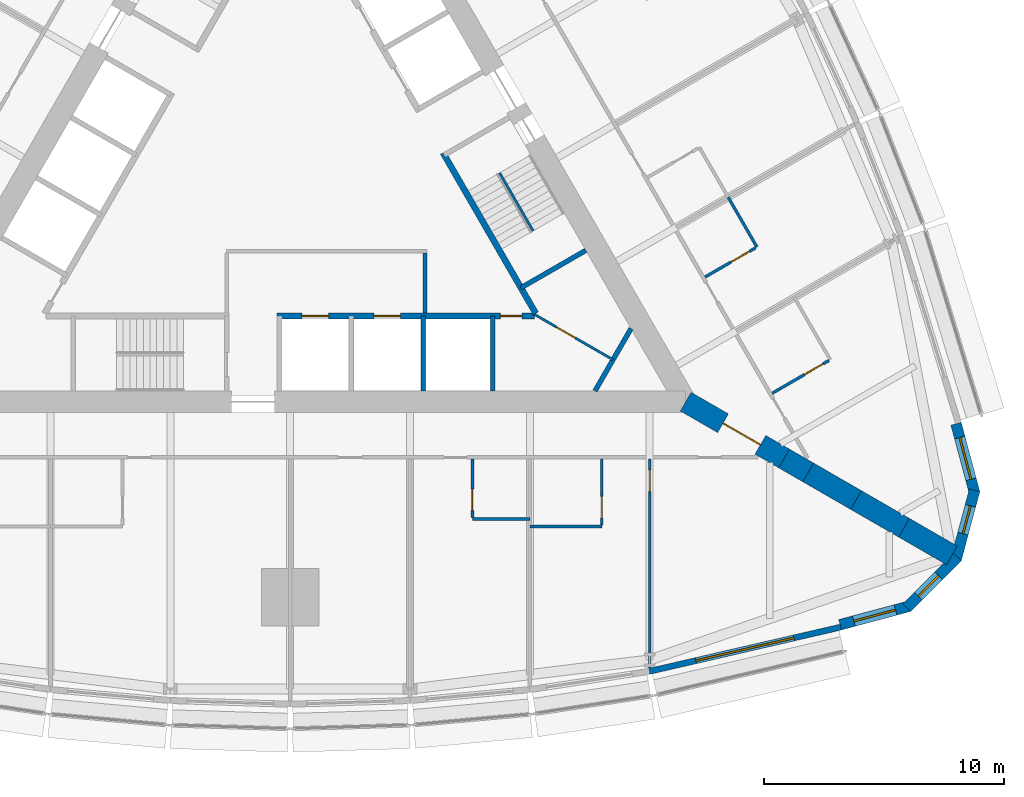
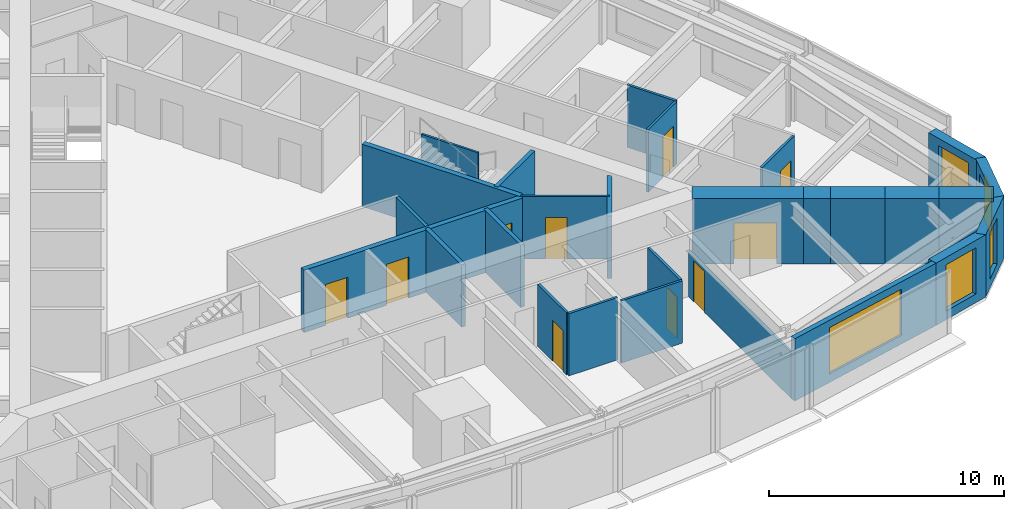
# One storey, part 10 of 14: 27 walls, 10 doors, 5 windows, 15 openings.
"""IFC4 building model written with IfcOpenShell, lengths in metres."""

from ifc_helpers import new_model, si_unit, direction, frame, frame_2d, origin, place, context, subcontext, project, spatial, polyline, rectangle, outline, extrude, material, layer, layer_set, type_object, element, fill, save


model = new_model("IFC4")

# Units and contexts
model_context = context("Model", 3, precision=1e-05, world=origin(), true_north=direction((0.0, 1.0)))
body_context = subcontext(model_context, "Body", "Model", "MODEL_VIEW")
ifc_project = project(units=[si_unit("LENGTHUNIT", "METRE"), si_unit("AREAUNIT", "SQUARE_METRE"), si_unit("VOLUMEUNIT", "CUBIC_METRE"), si_unit("PLANEANGLEUNIT", "RADIAN"), si_unit("MASSUNIT", "GRAM", prefix="KILO")], contexts=[model_context])

# Site, building, storey
site_placement = place(None, origin())
site = spatial("IfcSite", under=ifc_project, at=site_placement, CompositionType="ELEMENT")
building_placement = place(site_placement, origin())
building = spatial("IfcBuilding", under=site, at=building_placement, Name="Trikona Tower", CompositionType="ELEMENT")
storey_placement = place(building_placement, frame((0.0, 0.0, 45.5)))
storey = spatial("IfcBuildingStorey", under=building, at=storey_placement, Name="L10", CompositionType="ELEMENT", Elevation=45.5)

# Wall
ifc_material_1 = material(Name="Metal stud and cement board", Category="gypsum")
ifc_layer_1 = layer(ifc_material_1, 0.1201171875)
ifc_layer_set_1 = layer_set([ifc_layer_1], Name="Bathroom wall 120")
wall_type_1 = type_object("IfcWallType", Name="Bathroom wall 120", PredefinedType="PLUMBINGWALL", material=ifc_layer_set_1)
wall_1_placement = place(storey_placement, frame((7.60009765625, -14.42626953125, 0.0), z_axis=(0.0, 0.0, 1.0), x_axis=(1.0, 0.0, 0.0)))
element("IfcWall", 1, at=wall_1_placement, inside=storey, type_object=wall_type_1, Name="Bathroom wall 1004", PredefinedType="PLUMBINGWALL", context=body_context, shape_type="SweptSolid", body=[
    extrude(rectangle(XDim=2.39990234375, YDim=0.1201171875, at=frame_2d((1.199951171875, 0.0))), origin(), (0.0, 0.0, 1.0), 3.235107421875),
])

# Wall, opening, door
wall_2_placement = place(storey_placement, frame((7.60009765625, -11.92626953125, 0.0), z_axis=(0.0, 0.0, 1.0), x_axis=(0.0, -1.0, 0.0)))
wall_2 = element("IfcWall", 2, at=wall_2_placement, inside=storey, type_object=wall_type_1, Name="Bathroom wall 1004", PredefinedType="PLUMBINGWALL", context=body_context, shape_type="SweptSolid", body=[
    extrude(rectangle(XDim=2.43994140625, YDim=0.1201171875, at=frame_2d((1.219970703125, 0.0))), origin(), (0.0, 0.0, 1.0), 3.235107421875),
])
opening_1_placement = place(wall_2_placement, frame((1.25, 0.0, 0.0)))
opening_1 = element("IfcOpeningElement", 3, at=opening_1_placement, cuts=wall_2, Name="Opening D2", PredefinedType="OPENING", context=body_context, shape_type="SweptSolid", body=[
    extrude(rectangle(XDim=0.89990234375, YDim=2.1298828125, at=frame_2d((0.449951171875, 1.06494140625))), frame((0.0, 0.070068359375, 0.0), z_axis=(0.0, -1.0, 0.0), x_axis=(1.0, 0.0, 0.0)), (0.0, 0.0, 1.0), 0.14013671875),
])
ifc_material_2 = material(Name="Steel door frame with solid-core timber leaf", Category="steel")
door_type_1 = type_object("IfcDoorType", Name="Bathroom door 900x2130", OperationType="SLIDING_TO_LEFT", PredefinedType="DOOR", material=ifc_material_2)
door_1_placement = place(opening_1_placement, origin())
door_1 = element("IfcDoor", 4, at=door_1_placement, inside=storey, type_object=door_type_1, Name="Bathroom door 1004", OperationType="SLIDING_TO_LEFT", OverallHeight=2.1298828125, OverallWidth=0.89990234375, PredefinedType="DOOR", context=body_context, shape_type="SweptSolid", body=[
    extrude(rectangle(XDim=0.89990234375, YDim=2.1298828125, at=frame_2d((0.449951171875, 1.06494140625))), frame((0.0, 0.02490234375, 0.0), z_axis=(0.0, -1.0, 0.0), x_axis=(1.0, 0.0, 0.0)), (0.0, 0.0, 1.0), 0.050048828125),
])
fill(opening_1, door_1)

# Wall
wall_3_placement = place(storey_placement, frame((10.0, -14.726318359375, 0.0), z_axis=(0.0, 0.0, 1.0), x_axis=(1.0, 0.0, 0.0)))
element("IfcWall", 5, at=wall_3_placement, inside=storey, type_object=wall_type_1, Name="Bathroom wall 1005.1", PredefinedType="PLUMBINGWALL", context=body_context, shape_type="SweptSolid", body=[
    extrude(rectangle(XDim=3.0, YDim=0.1201171875, at=frame_2d((1.5, 0.0))), origin(), (0.0, 0.0, 1.0), 3.235107421875),
])

# Wall, opening, door
wall_4_placement = place(storey_placement, frame((13.0, -11.92626953125, 0.0), z_axis=(0.0, 0.0, 1.0), x_axis=(0.0, -1.0, 0.0)))
wall_4 = element("IfcWall", 6, at=wall_4_placement, inside=storey, type_object=wall_type_1, Name="Bathroom wall 1005.1", PredefinedType="PLUMBINGWALL", context=body_context, shape_type="SweptSolid", body=[
    extrude(rectangle(XDim=2.739990234375, YDim=0.1201171875, at=frame_2d((1.3701171875, 0.0))), origin(), (0.0, 0.0, 1.0), 3.235107421875),
])
opening_2_placement = place(wall_4_placement, frame((1.550048828125, 0.0, 0.0)))
opening_2 = element("IfcOpeningElement", 7, at=opening_2_placement, cuts=wall_4, Name="Opening D2", PredefinedType="OPENING", context=body_context, shape_type="SweptSolid", body=[
    extrude(rectangle(XDim=0.89990234375, YDim=2.1298828125, at=frame_2d((0.449951171875, 1.06494140625))), frame((0.0, 0.070068359375, 0.0), z_axis=(0.0, -1.0, 0.0), x_axis=(1.0, 0.0, 0.0)), (0.0, 0.0, 1.0), 0.14013671875),
])
door_2_placement = place(opening_2_placement, origin())
door_2 = element("IfcDoor", 8, at=door_2_placement, inside=storey, type_object=door_type_1, Name="Bathroom door 1005.1", OperationType="SLIDING_TO_LEFT", OverallHeight=2.1298828125, OverallWidth=0.89990234375, PredefinedType="DOOR", context=body_context, shape_type="SweptSolid", body=[
    extrude(rectangle(XDim=0.89990234375, YDim=2.1298828125, at=frame_2d((0.449951171875, 1.06494140625))), frame((0.0, 0.02490234375, 0.0), z_axis=(0.0, -1.0, 0.0), x_axis=(1.0, 0.0, 0.0)), (0.0, 0.0, 1.0), 0.050048828125),
])
fill(opening_2, door_2)

wall_5_placement = place(storey_placement, frame((20.10791015625, -9.17529296875, 0.0), z_axis=(0.0, 0.0, 1.0), x_axis=(0.866035715982, 0.499982138324, 0.0)))
wall_5 = element("IfcWall", 9, at=wall_5_placement, inside=storey, type_object=wall_type_1, Name="Bathroom wall 1006", PredefinedType="PLUMBINGWALL", context=body_context, shape_type="SweptSolid", body=[
    extrude(rectangle(XDim=2.73974609375, YDim=0.1201171875, at=frame_2d((1.369873046875, 0.0))), origin(), (0.0, 0.0, 1.0), 3.235107421875),
])
opening_3_placement = place(wall_5_placement, frame((1.550048828125, 0.0, 0.0)))
opening_3 = element("IfcOpeningElement", 10, at=opening_3_placement, cuts=wall_5, Name="Opening D2", PredefinedType="OPENING", context=body_context, shape_type="SweptSolid", body=[
    extrude(rectangle(XDim=0.89990234375, YDim=2.1298828125, at=frame_2d((0.449951171875, 1.06494140625))), frame((0.0, 0.070068359375, 0.0), z_axis=(0.0, -1.0, 0.0), x_axis=(1.0, 0.0, 0.0)), (0.0, 0.0, 1.0), 0.14013671875),
])
door_3_placement = place(opening_3_placement, origin())
door_3 = element("IfcDoor", 11, at=door_3_placement, inside=storey, type_object=door_type_1, Name="Bathroom door 1006", OperationType="SLIDING_TO_LEFT", OverallHeight=2.1298828125, OverallWidth=0.89990234375, PredefinedType="DOOR", context=body_context, shape_type="SweptSolid", body=[
    extrude(rectangle(XDim=0.89990234375, YDim=2.1298828125, at=frame_2d((0.449951171875, 1.06494140625))), frame((0.0, 0.02490234375, 0.0), z_axis=(0.0, -1.0, 0.0), x_axis=(1.0, 0.0, 0.0)), (0.0, 0.0, 1.0), 0.050048828125),
])
fill(opening_3, door_3)

# Wall
wall_6_placement = place(storey_placement, frame((19.472900390625, -3.07568359375, 0.0), z_axis=(0.0, 0.0, 1.0), x_axis=(-0.499957262057, 0.866050077142, 0.0)))
element("IfcWall", 12, at=wall_6_placement, inside=storey, type_object=wall_type_1, Name="Bathroom wall 1007", PredefinedType="PLUMBINGWALL", context=body_context, shape_type="SweptSolid", body=[
    extrude(rectangle(XDim=2.400146484375, YDim=0.1201171875, at=frame_2d((1.2001953125, 0.0))), origin(), (0.0, 0.0, 1.0), 3.235107421875),
])

# Wall, opening, door
wall_7_placement = place(storey_placement, frame((17.307861328125, -4.32568359375, 0.0), z_axis=(0.0, 0.0, 1.0), x_axis=(0.866023955769, 0.500002508028, 0.0)))
wall_7 = element("IfcWall", 13, at=wall_7_placement, inside=storey, type_object=wall_type_1, Name="Bathroom wall 1007", PredefinedType="PLUMBINGWALL", context=body_context, shape_type="SweptSolid", body=[
    extrude(rectangle(XDim=2.43994140625, YDim=0.1201171875, at=frame_2d((1.219970703125, 0.0))), origin(), (0.0, 0.0, 1.0), 3.235107421875),
])
opening_4_placement = place(wall_7_placement, frame((1.25, 0.0, 0.0)))
opening_4 = element("IfcOpeningElement", 14, at=opening_4_placement, cuts=wall_7, Name="Opening D2", PredefinedType="OPENING", context=body_context, shape_type="SweptSolid", body=[
    extrude(rectangle(XDim=0.89990234375, YDim=2.1298828125, at=frame_2d((0.449951171875, 1.06494140625))), frame((0.0, 0.070068359375, 0.0), z_axis=(0.0, -1.0, 0.0), x_axis=(1.0, 0.0, 0.0)), (0.0, 0.0, 1.0), 0.14013671875),
])
door_4_placement = place(opening_4_placement, origin())
door_4 = element("IfcDoor", 15, at=door_4_placement, inside=storey, type_object=door_type_1, Name="Bathroom door 1007", OperationType="SLIDING_TO_LEFT", OverallHeight=2.1298828125, OverallWidth=0.89990234375, PredefinedType="DOOR", context=body_context, shape_type="SweptSolid", body=[
    extrude(rectangle(XDim=0.89990234375, YDim=2.1298828125, at=frame_2d((0.449951171875, 1.06494140625))), frame((0.0, 0.02490234375, 0.0), z_axis=(0.0, -1.0, 0.0), x_axis=(1.0, 0.0, 0.0)), (0.0, 0.0, 1.0), 0.050048828125),
])
fill(opening_4, door_4)

# Wall, opening, window
ifc_material_3 = material(Name="Brick-faced precast concrete", Category="masonry")
ifc_layer_2 = layer(ifc_material_3, 0.449951171875)
ifc_layer_set_2 = layer_set([ifc_layer_2], Name="Brick-faced corner wall 450")
wall_type_2 = type_object("IfcWallType", Name="Brick-faced corner wall 450", PredefinedType="SOLIDWALL", material=ifc_layer_set_2)
wall_8_placement = place(storey_placement, frame((22.94189453125, -18.835205078125, 0.0), z_axis=(0.0, 0.0, 1.0), x_axis=(0.965930548995, 0.258801419081, 0.0)))
wall_8 = element("IfcWall", 16, at=wall_8_placement, inside=storey, type_object=wall_type_2, Name="External wall L10-08", PredefinedType="SOLIDWALL", context=body_context, shape_type="SweptSolid", body=[
    extrude(rectangle(XDim=2.988525390625, YDim=0.449951171875, at=frame_2d((1.494140625, 0.0))), origin(), (0.0, 0.0, 1.0), 3.235107421875),
])
opening_5_placement = place(wall_8_placement, frame((0.59423828125, 0.0, 0.449951171875)))
opening_5 = element("IfcOpeningElement", 17, at=opening_5_placement, cuts=wall_8, Name="Opening W1824", PredefinedType="OPENING", context=body_context, shape_type="SweptSolid", body=[
    extrude(rectangle(XDim=1.800048828125, YDim=2.39990234375, at=frame_2d((0.89990234375, 1.199951171875))), frame((0.0, 0.23486328125, 0.0), z_axis=(0.0, -1.0, 0.0), x_axis=(1.0, 0.0, 0.0)), (0.0, 0.0, 1.0), 0.469970703125),
])
ifc_material_4 = material(Name="Aluminium-framed double glazing", Category="aluminium")
window_type_1 = type_object("IfcWindowType", Name="Window 1800x2400", PartitioningType="SINGLE_PANEL", PredefinedType="WINDOW", material=ifc_material_4)
window_1_placement = place(opening_5_placement, origin())
window_1 = element("IfcWindow", 18, at=window_1_placement, inside=storey, type_object=window_type_1, Name="Window 1005", OverallHeight=2.39990234375, OverallWidth=1.800048828125, PartitioningType="SINGLE_PANEL", PredefinedType="WINDOW", context=body_context, shape_type="SweptSolid", body=[
    extrude(rectangle(XDim=1.800048828125, YDim=2.39990234375, at=frame_2d((0.89990234375, 1.199951171875))), frame((0.0, 0.030029296875, 0.0), z_axis=(0.0, -1.0, 0.0), x_axis=(1.0, 0.0, 0.0)), (0.0, 0.0, 1.0), 0.06005859375),
])
fill(opening_5, window_1)

wall_9_placement = place(storey_placement, frame((25.727783203125, -18.1201171875, 0.0), z_axis=(0.0, 0.0, 1.0), x_axis=(0.707025086683, 0.707188466253, 0.0)))
wall_9 = element("IfcWall", 19, at=wall_9_placement, inside=storey, type_object=wall_type_2, Name="External wall L10-09", PredefinedType="SOLIDWALL", context=body_context, shape_type="SweptSolid", body=[
    extrude(outline(polyline([(2.988525390625, 0.22509765625), (2.929931640625, 0.22509765625), (2.4375, 0.093017578125), (2.402099609375, 0.22509765625), (0.0, 0.22509765625), (0.0, -0.22509765625), (2.988525390625, -0.22509765625), (2.988525390625, 0.22509765625)])), origin(), (0.0, 0.0, 1.0), 3.235107421875),
])
opening_6_placement = place(wall_9_placement, frame((0.676025390625, 0.0, 0.449951171875)))
opening_6 = element("IfcOpeningElement", 20, at=opening_6_placement, cuts=wall_9, Name="Opening W1224", PredefinedType="OPENING", context=body_context, shape_type="SweptSolid", body=[
    extrude(rectangle(XDim=1.199951171875, YDim=2.39990234375, at=frame_2d((0.60009765625, 1.199951171875))), frame((0.0, 0.23486328125, 0.0), z_axis=(0.0, -1.0, 0.0), x_axis=(1.0, 0.0, 0.0)), (0.0, 0.0, 1.0), 0.469970703125),
])
ifc_material_5 = material(Name="Aluminium-framed double glazing", Category="aluminium")
window_type_2 = type_object("IfcWindowType", Name="Window 1200x2400", PartitioningType="SINGLE_PANEL", PredefinedType="WINDOW", material=ifc_material_5)
window_2_placement = place(opening_6_placement, origin())
window_2 = element("IfcWindow", 21, at=window_2_placement, inside=storey, type_object=window_type_2, Name="Window 1005", OverallHeight=2.39990234375, OverallWidth=1.199951171875, PartitioningType="SINGLE_PANEL", PredefinedType="WINDOW", context=body_context, shape_type="SweptSolid", body=[
    extrude(rectangle(XDim=1.199951171875, YDim=2.39990234375, at=frame_2d((0.60009765625, 1.199951171875))), frame((0.0, 0.030029296875, 0.0), z_axis=(0.0, -1.0, 0.0), x_axis=(1.0, 0.0, 0.0)), (0.0, 0.0, 1.0), 0.06005859375),
])
fill(opening_6, window_2)

wall_10_placement = place(storey_placement, frame((27.78271484375, -16.107666015625, 0.0), z_axis=(0.0, 0.0, 1.0), x_axis=(0.258801419081, 0.965930548995, 0.0)))
wall_10 = element("IfcWall", 22, at=wall_10_placement, inside=storey, type_object=wall_type_2, Name="External wall L10-10", PredefinedType="SOLIDWALL", context=body_context, shape_type="SweptSolid", body=[
    extrude(outline(polyline([(2.988525390625, 0.22509765625), (0.58642578125, 0.22509765625), (0.55126953125, 0.09326171875), (0.0595703125, 0.22509765625), (0.0, 0.22509765625), (0.0, -0.22509765625), (2.988525390625, -0.22509765625), (2.988525390625, 0.22509765625)])), origin(), (0.0, 0.0, 1.0), 3.235107421875),
])
opening_7_placement = place(wall_10_placement, frame((1.112548828125, 0.0, 0.449951171875)))
opening_7 = element("IfcOpeningElement", 23, at=opening_7_placement, cuts=wall_10, Name="Opening W1224", PredefinedType="OPENING", context=body_context, shape_type="SweptSolid", body=[
    extrude(rectangle(XDim=1.199951171875, YDim=2.39990234375, at=frame_2d((0.60009765625, 1.199951171875))), frame((0.0, 0.23486328125, 0.0), z_axis=(0.0, -1.0, 0.0), x_axis=(1.0, 0.0, 0.0)), (0.0, 0.0, 1.0), 0.469970703125),
])
window_3_placement = place(opening_7_placement, origin())
window_3 = element("IfcWindow", 24, at=window_3_placement, inside=storey, type_object=window_type_2, Name="Window 1006", OverallHeight=2.39990234375, OverallWidth=1.199951171875, PartitioningType="SINGLE_PANEL", PredefinedType="WINDOW", context=body_context, shape_type="SweptSolid", body=[
    extrude(rectangle(XDim=1.199951171875, YDim=2.39990234375, at=frame_2d((0.60009765625, 1.199951171875))), frame((0.0, 0.030029296875, 0.0), z_axis=(0.0, -1.0, 0.0), x_axis=(1.0, 0.0, 0.0)), (0.0, 0.0, 1.0), 0.06005859375),
])
fill(opening_7, window_3)

wall_11_placement = place(storey_placement, frame((28.55615234375, -13.33740234375, 0.0), z_axis=(0.0, 0.0, 1.0), x_axis=(-0.258780998834, 0.965936019953, 0.0)))
wall_11 = element("IfcWall", 25, at=wall_11_placement, inside=storey, type_object=wall_type_2, Name="External wall L10-11", PredefinedType="SOLIDWALL", context=body_context, shape_type="SweptSolid", body=[
    extrude(rectangle(XDim=2.98876953125, YDim=0.449951171875, at=frame_2d((1.494384765625, 0.0))), origin(), (0.0, 0.0, 1.0), 3.235107421875),
])
opening_8_placement = place(wall_11_placement, frame((0.59423828125, 0.0, 0.449951171875)))
opening_8 = element("IfcOpeningElement", 26, at=opening_8_placement, cuts=wall_11, Name="Opening W1824", PredefinedType="OPENING", context=body_context, shape_type="SweptSolid", body=[
    extrude(rectangle(XDim=1.800048828125, YDim=2.39990234375, at=frame_2d((0.89990234375, 1.199951171875))), frame((0.0, 0.23486328125, 0.0), z_axis=(0.0, -1.0, 0.0), x_axis=(1.0, 0.0, 0.0)), (0.0, 0.0, 1.0), 0.469970703125),
])
window_4_placement = place(opening_8_placement, origin())
window_4 = element("IfcWindow", 27, at=window_4_placement, inside=storey, type_object=window_type_1, Name="Window 1006", OverallHeight=2.39990234375, OverallWidth=1.800048828125, PartitioningType="SINGLE_PANEL", PredefinedType="WINDOW", context=body_context, shape_type="SweptSolid", body=[
    extrude(rectangle(XDim=1.800048828125, YDim=2.39990234375, at=frame_2d((0.89990234375, 1.199951171875))), frame((0.0, 0.030029296875, 0.0), z_axis=(0.0, -1.0, 0.0), x_axis=(1.0, 0.0, 0.0)), (0.0, 0.0, 1.0), 0.06005859375),
])
fill(opening_8, window_4)

# Wall, opening, door
ifc_material_6 = material(Name="Concrete f'c 10000 psi", Category="concrete")
ifc_layer_3 = layer(ifc_material_6, 0.89990234375)
ifc_layer_set_3 = layer_set([ifc_layer_3], Name="Buttress wall 900")
wall_type_3 = type_object("IfcWallType", Name="Buttress wall 900", PredefinedType="SHEAR", material=ifc_layer_set_3)
wall_12_placement = place(storey_placement, frame((16.5, -9.5263671875, 0.0), z_axis=(0.0, 0.0, 1.0), x_axis=(0.866031398331, -0.499989616998, 0.0)))
wall_12 = element("IfcWall", 28, at=wall_12_placement, inside=storey, type_object=wall_type_3, Name="Buttress wall 1", PredefinedType="SHEAR", context=body_context, shape_type="SweptSolid", body=[
    extrude(rectangle(XDim=4.74609375, YDim=0.89990234375, at=frame_2d((2.373046875, 0.0))), origin(), (0.0, 0.0, 1.0), 3.39990234375),
])
opening_9_placement = place(wall_12_placement, frame((1.800048828125, 0.0, 0.0)))
opening_9 = element("IfcOpeningElement", 29, at=opening_9_placement, cuts=wall_12, Name="Opening D10", PredefinedType="OPENING", context=body_context, shape_type="SweptSolid", body=[
    extrude(rectangle(XDim=1.800048828125, YDim=2.1298828125, at=frame_2d((0.89990234375, 1.06494140625))), frame((0.0, 0.4599609375, 0.0), z_axis=(0.0, -1.0, 0.0), x_axis=(1.0, 0.0, 0.0)), (0.0, 0.0, 1.0), 0.919921875),
])
ifc_material_7 = material(Name="Hollow metal door and frame", Category="steel")
door_type_2 = type_object("IfcDoorType", Name="Cross-corridor door pair 1800x2130", OperationType="DOUBLE_DOOR_DOUBLE_SWING", PredefinedType="DOOR", material=ifc_material_7)
door_5_placement = place(opening_9_placement, origin())
door_5 = element("IfcDoor", 30, at=door_5_placement, inside=storey, type_object=door_type_2, Name="Cross-corridor door 1", OperationType="DOUBLE_DOOR_DOUBLE_SWING", OverallHeight=2.1298828125, OverallWidth=1.800048828125, PredefinedType="DOOR", context=body_context, shape_type="SweptSolid", body=[
    extrude(rectangle(XDim=1.800048828125, YDim=2.1298828125, at=frame_2d((0.89990234375, 1.06494140625))), frame((0.0, 0.02490234375, 0.0), z_axis=(0.0, -1.0, 0.0), x_axis=(1.0, 0.0, 0.0)), (0.0, 0.0, 1.0), 0.050048828125),
])
fill(opening_9, door_5)

# Walls
wall_13_placement = place(storey_placement, frame((20.6103515625, -11.8994140625, 0.0), z_axis=(0.0, 0.0, 1.0), x_axis=(0.866009537788, -0.500027479704, 0.0)))
element("IfcWall", 31, at=wall_13_placement, inside=storey, type_object=wall_type_3, Name="Buttress wall 1 part 2", PredefinedType="SHEAR", context=body_context, shape_type="SweptSolid", body=[
    extrude(rectangle(XDim=1.15478515625, YDim=0.89990234375, at=frame_2d((0.577392578125, 0.0))), origin(), (0.0, 0.0, 1.0), 3.39990234375),
])
for number, where, z_axis, x_axis, name in (
    (32, (21.6103515625, -12.476806640625, 0.0), (0.0, 0.0, 1.0), (0.866055313784, -0.499948190782, 0.0), "Buttress wall 1 part 3"),
    (33, (23.6103515625, -13.63134765625, 0.0), (0.0, 0.0, 1.0), (0.866009537788, -0.500027479704, 0.0), "Buttress wall 1 part 4"),
    (34, (25.6103515625, -14.7861328125, 0.0), (0.0, 0.0, 1.0), (0.866009537788, -0.500027479704, 0.0), "Buttress wall 1 part 5"),
):
    element("IfcWall", number, at=place(storey_placement, frame(where, z_axis=z_axis, x_axis=x_axis)), inside=storey, type_object=wall_type_3, Name=name, PredefinedType="SHEAR", context=body_context, shape_type="SweptSolid", body=[
        extrude(rectangle(XDim=2.309326171875, YDim=0.89990234375, at=frame_2d((1.15478515625, 0.0))), origin(), (0.0, 0.0, 1.0), 3.39990234375),
    ])

# Wall, openings, doors
ifc_material_8 = material(Name="Concrete f'c 8000 psi", Category="concrete")
ifc_layer_4 = layer(ifc_material_8, 0.25)
ifc_layer_set_4 = layer_set([ifc_layer_4], Name="Hub wall 250")
wall_type_4 = type_object("IfcWallType", Name="Hub wall 250", PredefinedType="SOLIDWALL", material=ifc_layer_set_4)
wall_14_placement = place(storey_placement, frame((-0.550048828125, -5.951416015625, 0.0), z_axis=(0.0, 0.0, 1.0), x_axis=(1.0, 0.0, 0.0)))
wall_14 = element("IfcWall", 35, at=wall_14_placement, inside=storey, type_object=wall_type_4, Name="Lift lobby wall A2", PredefinedType="SOLIDWALL", context=body_context, shape_type="SweptSolid", body=[
    extrude(rectangle(XDim=10.73291015625, YDim=0.25, at=frame_2d((5.366455078125, 0.0))), origin(), (0.0, 0.0, 1.0), 3.235107421875),
])
opening_10_placement = place(wall_14_placement, frame((9.31396484375, 0.0, 0.0)))
opening_10 = element("IfcOpeningElement", 36, at=opening_10_placement, cuts=wall_14, Name="Opening D14", PredefinedType="OPENING", context=body_context, shape_type="SweptSolid", body=[
    extrude(rectangle(XDim=0.89990234375, YDim=2.1298828125, at=frame_2d((0.449951171875, 1.06494140625))), frame((0.0, 0.135009765625, 0.0), z_axis=(0.0, -1.0, 0.0), x_axis=(1.0, 0.0, 0.0)), (0.0, 0.0, 1.0), 0.27001953125),
])
opening_11_placement = place(wall_14_placement, frame((1.050048828125, 0.0, 0.0)))
opening_11 = element("IfcOpeningElement", 37, at=opening_11_placement, cuts=wall_14, Name="Opening LD", PredefinedType="OPENING", context=body_context, shape_type="SweptSolid", body=[
    extrude(rectangle(XDim=1.10009765625, YDim=2.1298828125, at=frame_2d((0.550048828125, 1.06494140625))), frame((0.0, 0.135009765625, 0.0), z_axis=(0.0, -1.0, 0.0), x_axis=(1.0, 0.0, 0.0)), (0.0, 0.0, 1.0), 0.27001953125),
])
opening_12_placement = place(wall_14_placement, frame((4.050048828125, 0.0, 0.0)))
opening_12 = element("IfcOpeningElement", 38, at=opening_12_placement, cuts=wall_14, Name="Opening LD", PredefinedType="OPENING", context=body_context, shape_type="SweptSolid", body=[
    extrude(rectangle(XDim=1.10009765625, YDim=2.1298828125, at=frame_2d((0.550048828125, 1.06494140625))), frame((0.0, 0.135009765625, 0.0), z_axis=(0.0, -1.0, 0.0), x_axis=(1.0, 0.0, 0.0)), (0.0, 0.0, 1.0), 0.27001953125),
])
ifc_material_9 = material(Name="Stainless steel lift landing door", Category="steel")
door_type_3 = type_object("IfcDoorType", Name="Lift landing door 1100x2130", OperationType="DOUBLE_DOOR_SLIDING", PredefinedType="USERDEFINED", material=ifc_material_9)
door_6_placement = place(opening_11_placement, origin())
door_6 = element("IfcDoor", 39, at=door_6_placement, inside=storey, type_object=door_type_3, Name="Lift landing door FF1", ObjectType="LIFT LANDING DOOR", OperationType="DOUBLE_DOOR_SLIDING", OverallHeight=2.1298828125, OverallWidth=1.10009765625, PredefinedType="USERDEFINED", context=body_context, shape_type="SweptSolid", body=[
    extrude(rectangle(XDim=1.10009765625, YDim=2.1298828125, at=frame_2d((0.550048828125, 1.06494140625))), frame((0.0, 0.02490234375, 0.0), z_axis=(0.0, -1.0, 0.0), x_axis=(1.0, 0.0, 0.0)), (0.0, 0.0, 1.0), 0.050048828125),
])
fill(opening_11, door_6)
door_7_placement = place(opening_12_placement, origin())
door_7 = element("IfcDoor", 40, at=door_7_placement, inside=storey, type_object=door_type_3, Name="Lift landing door FF2", ObjectType="LIFT LANDING DOOR", OperationType="DOUBLE_DOOR_SLIDING", OverallHeight=2.1298828125, OverallWidth=1.10009765625, PredefinedType="USERDEFINED", context=body_context, shape_type="SweptSolid", body=[
    extrude(rectangle(XDim=1.10009765625, YDim=2.1298828125, at=frame_2d((0.550048828125, 1.06494140625))), frame((0.0, 0.02490234375, 0.0), z_axis=(0.0, -1.0, 0.0), x_axis=(1.0, 0.0, 0.0)), (0.0, 0.0, 1.0), 0.050048828125),
])
fill(opening_12, door_7)
ifc_material_10 = material(Name="Hollow metal door and frame", Category="steel")
door_type_4 = type_object("IfcDoorType", Name="Service room door 900x2130", OperationType="SINGLE_SWING_LEFT", PredefinedType="DOOR", material=ifc_material_10)
door_8_placement = place(opening_10_placement, origin())
door_8 = element("IfcDoor", 41, at=door_8_placement, inside=storey, type_object=door_type_4, Name="Door Housekeeping store HKS", OperationType="SINGLE_SWING_RIGHT", OverallHeight=2.1298828125, OverallWidth=0.89990234375, PredefinedType="DOOR", context=body_context, shape_type="SweptSolid", body=[
    extrude(rectangle(XDim=0.89990234375, YDim=2.1298828125, at=frame_2d((0.449951171875, 1.06494140625))), frame((0.0, 0.02490234375, 0.0), z_axis=(0.0, -1.0, 0.0), x_axis=(1.0, 0.0, 0.0)), (0.0, 0.0, 1.0), 0.050048828125),
])
fill(opening_10, door_8)

# Wall
wall_15_placement = place(storey_placement, frame((10.245361328125, -5.843017578125, 0.0), z_axis=(0.0, 0.0, 1.0), x_axis=(-0.499993009313, 0.866029439822, 0.0)))
element("IfcWall", 42, at=wall_15_placement, inside=storey, type_object=wall_type_4, Name="Lift lobby wall B1", PredefinedType="SOLIDWALL", context=body_context, shape_type="SweptSolid", body=[
    extrude(rectangle(XDim=7.73291015625, YDim=0.25, at=frame_2d((3.866455078125, 0.0))), origin(), (0.0, 0.0, 1.0), 3.235107421875),
])

# Wall, opening, window
ifc_material_11 = material(Name="Insulated precast concrete spandrel panel", Category="concrete")
ifc_layer_5 = layer(ifc_material_11, 0.25)
ifc_layer_set_5 = layer_set([ifc_layer_5], Name="Inner skin wall 250")
wall_type_5 = type_object("IfcWallType", Name="Inner skin wall 250", PredefinedType="STANDARD", material=ifc_layer_set_5)
wall_16_placement = place(storey_placement, frame((14.9716796875, -20.78125, 0.0), z_axis=(0.0, 0.0, 1.0), x_axis=(0.974279327392, 0.225343720163, 0.0)))
wall_16 = element("IfcWall", 43, at=wall_16_placement, inside=storey, type_object=wall_type_5, Name="External wall L10-07", PredefinedType="STANDARD", context=body_context, shape_type="SweptSolid", body=[
    extrude(rectangle(XDim=8.211181640625, YDim=0.25, at=frame_2d((4.10546875, 0.0))), origin(), (0.0, 0.0, 1.0), 3.235107421875),
])
opening_13_placement = place(wall_16_placement, frame((2.005615234375, 0.0, 0.449951171875)))
opening_13 = element("IfcOpeningElement", 44, at=opening_13_placement, cuts=wall_16, Name="Opening W4224", PredefinedType="OPENING", context=body_context, shape_type="SweptSolid", body=[
    extrude(rectangle(XDim=4.199951171875, YDim=2.39990234375, at=frame_2d((2.10009765625, 1.199951171875))), frame((0.0, 0.135009765625, 0.0), z_axis=(0.0, -1.0, 0.0), x_axis=(1.0, 0.0, 0.0)), (0.0, 0.0, 1.0), 0.27001953125),
])
ifc_material_12 = material(Name="Aluminium-framed double glazing", Category="aluminium")
window_type_3 = type_object("IfcWindowType", Name="Window 4200x2400", PartitioningType="SINGLE_PANEL", PredefinedType="WINDOW", material=ifc_material_12)
window_5_placement = place(opening_13_placement, origin())
window_5 = element("IfcWindow", 45, at=window_5_placement, inside=storey, type_object=window_type_3, Name="Window 1005", OverallHeight=2.39990234375, OverallWidth=4.199951171875, PartitioningType="SINGLE_PANEL", PredefinedType="WINDOW", context=body_context, shape_type="SweptSolid", body=[
    extrude(rectangle(XDim=4.199951171875, YDim=2.39990234375, at=frame_2d((2.10009765625, 1.199951171875))), frame((0.0, 0.030029296875, 0.0), z_axis=(0.0, -1.0, 0.0), x_axis=(1.0, 0.0, 0.0)), (0.0, 0.0, 1.0), 0.06005859375),
])
fill(opening_13, window_5)

# Walls
ifc_material_13 = material(Name="Metal stud and gypsum board, 2-hour shaft wall", Category="gypsum")
ifc_layer_6 = layer(ifc_material_13, 0.14990234375)
ifc_layer_set_6 = layer_set([ifc_layer_6], Name="Lobby wall 150")
wall_type_6 = type_object("IfcWallType", Name="Lobby wall 150", PredefinedType="PARTITIONING", material=ifc_layer_set_6)
wall_17_placement = place(storey_placement, frame((5.625, -5.826416015625, 0.0), z_axis=(0.0, 0.0, 1.0), x_axis=(0.0, 1.0, 0.0)))
element("IfcWall", 46, at=wall_17_placement, inside=storey, type_object=wall_type_6, Name="Fire service lift lobby wall 3", PredefinedType="PARTITIONING", context=body_context, shape_type="SweptSolid", body=[
    extrude(rectangle(XDim=2.5, YDim=0.14990234375, at=frame_2d((1.25, 0.0))), origin(), (0.0, 0.0, 1.0), 3.235107421875),
])
ifc_material_14 = material(Name="Concrete f'c 8000 psi", Category="concrete")
ifc_layer_7 = layer(ifc_material_14, 0.199951171875)
ifc_layer_set_7 = layer_set([ifc_layer_7], Name="Shaft wall 200")
wall_type_7 = type_object("IfcWallType", Name="Shaft wall 200", PredefinedType="SOLIDWALL", material=ifc_layer_set_7)
for number, where, z_axis, x_axis, name in (
    (47, (5.550048828125, -5.951416015625, 0.0), (0.0, 0.0, 1.0), (0.0, -1.0, 0.0), "Shaft wall A5"),
    (48, (8.449951171875, -5.951416015625, 0.0), (0.0, 0.0, 1.0), (0.0, -1.0, 0.0), "Shaft wall A6"),
):
    element("IfcWall", number, at=place(storey_placement, frame(where, z_axis=z_axis, x_axis=x_axis)), inside=storey, type_object=wall_type_7, Name=name, PredefinedType="SOLIDWALL", context=body_context, shape_type="SweptSolid", body=[
        extrude(rectangle(XDim=3.125, YDim=0.199951171875, at=frame_2d((1.5625, 0.0))), origin(), (0.0, 0.0, 1.0), 3.235107421875),
    ])
wall_18_placement = place(storey_placement, frame((14.219482421875, -6.476318359375, 0.0), z_axis=(0.0, 0.0, 1.0), x_axis=(-0.499952404951, -0.866052881055, 0.0)))
element("IfcWall", 49, at=wall_18_placement, inside=storey, type_object=wall_type_7, Name="Riser wall L10-RS1", PredefinedType="SOLIDWALL", context=body_context, shape_type="SweptSolid", body=[
    extrude(rectangle(XDim=3.002197265625, YDim=0.199951171875, at=frame_2d((1.5009765625, 0.0))), origin(), (0.0, 0.0, 1.0), 3.235107421875),
])
ifc_material_15 = material(Name="Concrete f'c 8000 psi", Category="concrete")
ifc_layer_8 = layer(ifc_material_15, 0.199951171875)
ifc_layer_set_8 = layer_set([ifc_layer_8], Name="Shaft wall 200 load-bearing")
wall_type_8 = type_object("IfcWallType", Name="Shaft wall 200 load-bearing", PredefinedType="SOLIDWALL", material=ifc_layer_set_8)
wall_19_placement = place(storey_placement, frame((9.62890625, -4.775390625, 0.0), z_axis=(0.0, 0.0, 1.0), x_axis=(0.866022959057, 0.500004234368, 0.0)))
element("IfcWall", 50, at=wall_19_placement, inside=storey, type_object=wall_type_8, Name="Shaft wall B1", PredefinedType="SOLIDWALL", context=body_context, shape_type="SweptSolid", body=[
    extrude(rectangle(XDim=3.125, YDim=0.199951171875, at=frame_2d((1.5625, 0.0))), origin(), (0.0, 0.0, 1.0), 3.235107421875),
])
ifc_material_16 = material(Name="Concrete f'c 5000 psi", Category="concrete")
ifc_layer_9 = layer(ifc_material_16, 0.10009765625)
ifc_layer_set_9 = layer_set([ifc_layer_9], Name="Stair spine wall 100")
wall_type_9 = type_object("IfcWallType", Name="Stair spine wall 100", PredefinedType="SOLIDWALL", material=ifc_layer_set_9)
wall_20_placement = place(storey_placement, frame((10.134765625, -2.4013671875, 0.0), z_axis=(0.0, 0.0, 1.0), x_axis=(-0.499992232847, 0.866029888106, 0.0)))
element("IfcWall", 51, at=wall_20_placement, inside=storey, type_object=wall_type_9, Name="Stair B spine wall L10", PredefinedType="SOLIDWALL", context=body_context, shape_type="SweptSolid", body=[
    extrude(rectangle(XDim=2.7939453125, YDim=0.10009765625, at=frame_2d((1.39697265625, 0.0))), origin(), (0.0, 0.0, 1.0), 3.39990234375),
])

# Wall, opening, door
ifc_material_17 = material(Name="Metal stud and gypsum board, acoustic", Category="gypsum")
ifc_layer_10 = layer(ifc_material_17, 0.10009765625)
ifc_layer_set_10 = layer_set([ifc_layer_10], Name="Suite partition 100")
wall_type_10 = type_object("IfcWallType", Name="Suite partition 100", PredefinedType="PARTITIONING", material=ifc_layer_set_10)
wall_21_placement = place(storey_placement, frame((15.0, -11.92626953125, 0.0), z_axis=(0.0, 0.0, 1.0), x_axis=(0.0, -1.0, 0.0)))
wall_21 = element("IfcWall", 52, at=wall_21_placement, inside=storey, type_object=wall_type_10, Name="Suite partition L10 F1 u15", PredefinedType="PARTITIONING", context=body_context, shape_type="SweptSolid", body=[
    extrude(rectangle(XDim=8.72021484375, YDim=0.10009765625, at=frame_2d((4.360107421875, 0.0))), origin(), (0.0, 0.0, 1.0), 2.38916015625),
])
opening_14_placement = place(wall_21_placement, frame((0.449951171875, 0.0, 0.0)))
opening_14 = element("IfcOpeningElement", 53, at=opening_14_placement, cuts=wall_21, Name="Opening D13", PredefinedType="OPENING", context=body_context, shape_type="SweptSolid", body=[
    extrude(rectangle(XDim=0.89990234375, YDim=2.1298828125, at=frame_2d((0.449951171875, 1.06494140625))), frame((0.0, 0.06005859375, 0.0), z_axis=(0.0, -1.0, 0.0), x_axis=(1.0, 0.0, 0.0)), (0.0, 0.0, 1.0), 0.1201171875),
])
ifc_material_18 = material(Name="Steel door frame with solid-core timber leaf", Category="steel")
door_type_5 = type_object("IfcDoorType", Name="Suite door 900x2130", OperationType="SINGLE_SWING_LEFT", PredefinedType="DOOR", material=ifc_material_18)
door_9_placement = place(opening_14_placement, origin())
door_9 = element("IfcDoor", 54, at=door_9_placement, inside=storey, type_object=door_type_5, Name="Suite door 1005", OperationType="SINGLE_SWING_LEFT", OverallHeight=2.1298828125, OverallWidth=0.89990234375, PredefinedType="DOOR", context=body_context, shape_type="SweptSolid", body=[
    extrude(rectangle(XDim=0.89990234375, YDim=2.1298828125, at=frame_2d((0.449951171875, 1.06494140625))), frame((0.0, 0.02490234375, 0.0), z_axis=(0.0, -1.0, 0.0), x_axis=(1.0, 0.0, 0.0)), (0.0, 0.0, 1.0), 0.050048828125),
])
fill(opening_14, door_9)

wall_22_placement = place(storey_placement, frame((13.468994140625, -7.7763671875, 0.0), z_axis=(0.0, 0.0, 1.0), x_axis=(-0.866021898093, 0.500006071987, 0.0)))
wall_22 = element("IfcWall", 55, at=wall_22_placement, inside=storey, type_object=wall_type_10, Name="Store partition L10-RS1", PredefinedType="PARTITIONING", context=body_context, shape_type="SweptSolid", body=[
    extrude(rectangle(XDim=3.775390625, YDim=0.10009765625, at=frame_2d((1.8876953125, 0.0))), origin(), (0.0, 0.0, 1.0), 3.235107421875),
])
opening_15_placement = place(wall_22_placement, frame((1.815185546875, 0.0, 0.0)))
opening_15 = element("IfcOpeningElement", 56, at=opening_15_placement, cuts=wall_22, Name="Opening D15", PredefinedType="OPENING", context=body_context, shape_type="SweptSolid", body=[
    extrude(rectangle(XDim=0.89990234375, YDim=2.1298828125, at=frame_2d((0.449951171875, 1.06494140625))), frame((0.0, 0.06005859375, 0.0), z_axis=(0.0, -1.0, 0.0), x_axis=(1.0, 0.0, 0.0)), (0.0, 0.0, 1.0), 0.1201171875),
])
ifc_material_19 = material(Name="Steel door frame with solid-core timber leaf", Category="steel")
door_type_6 = type_object("IfcDoorType", Name="Store door 900x2130", OperationType="SINGLE_SWING_LEFT", PredefinedType="DOOR", material=ifc_material_19)
door_10_placement = place(opening_15_placement, origin())
door_10 = element("IfcDoor", 57, at=door_10_placement, inside=storey, type_object=door_type_6, Name="Door Minibar store MBS", OperationType="SINGLE_SWING_RIGHT", OverallHeight=2.1298828125, OverallWidth=0.89990234375, PredefinedType="DOOR", context=body_context, shape_type="SweptSolid", body=[
    extrude(rectangle(XDim=0.89990234375, YDim=2.1298828125, at=frame_2d((0.449951171875, 1.06494140625))), frame((0.0, 0.02490234375, 0.0), z_axis=(0.0, -1.0, 0.0), x_axis=(1.0, 0.0, 0.0)), (0.0, 0.0, 1.0), 0.050048828125),
])
fill(opening_15, door_10)

save(model, "model.ifc")
